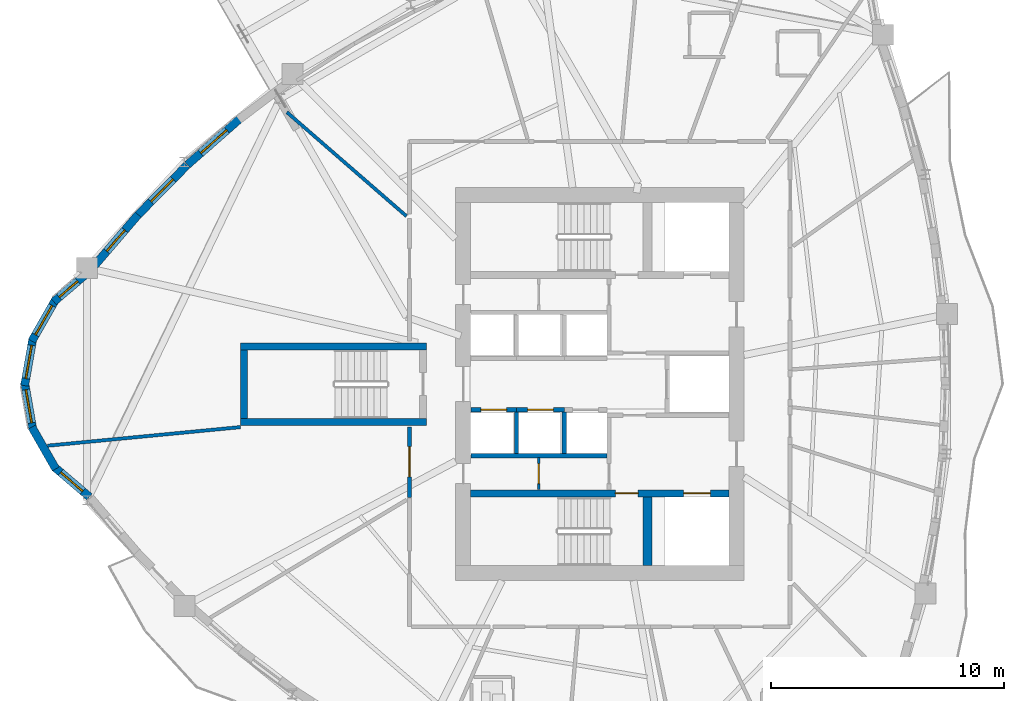
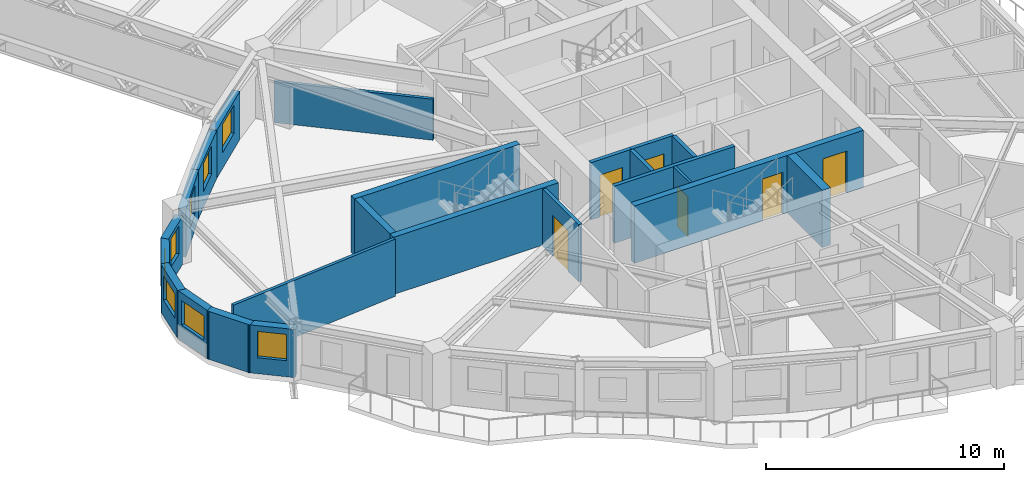
# One storey, part 7 of 16: 23 walls, 8 windows, 6 doors, 14 openings.
"""IFC4 building model written with IfcOpenShell, lengths in metres."""

import ifcopenshell
import ifcopenshell.guid

model = None  # the IFC model being written
_history = None  # IfcOwnerHistory: only IFC2X3 demands one
_inside = {}  # id of a spatial element -> (the spatial element, [elements in it])
_under = {}  # id of a project, library or spatial element -> (it, [spatial elements below it])
_declared = {}  # id of a project -> (the project, [libraries it declares])
_typed = {}  # id of a type object -> (the type object, [elements of that type])
_made_of = {}  # id of a material, layer set ... -> (it, [elements and type objects made of it])


def new_model(schema):
    """Start an empty IFC model of exactly this schema.

    Asked for "IFC4X3", IfcOpenShell would pick the latest addendum, in which some entities
    have other attributes; the version numbers below select the first issue.
    IFC2X3 requires an IfcOwnerHistory on every rooted entity: one is made here for all.
    """
    global model, _history
    if schema == "IFC4X3":
        model = ifcopenshell.file(schema_version=(4, 3, 0, 0))
    else:
        model = ifcopenshell.file(schema=schema)
    _inside.clear()
    _under.clear()
    _declared.clear()
    _typed.clear()
    _made_of.clear()
    _history = None
    if model.schema == "IFC2X3":
        org = make("IfcOrganization", Name="unknown")
        user = make(
            "IfcPersonAndOrganization",
            ThePerson=make("IfcPerson", FamilyName="unknown"),
            TheOrganization=org,
        )
        app = make(
            "IfcApplication",
            ApplicationDeveloper=org,
            Version="unknown",
            ApplicationFullName="unknown",
            ApplicationIdentifier="unknown",
        )
        _history = make(
            "IfcOwnerHistory",
            OwningUser=user,
            OwningApplication=app,
            ChangeAction="ADDED",
            CreationDate=0,
        )
    return model


def make(cls, **values):
    """One entity of the class cls with the attributes given. An attribute that is None is left unset."""
    return model.create_entity(
        cls, **{name: value for name, value in values.items() if value is not None}
    )


def rooted(cls, **values):
    """An entity with a GlobalId (a new one), such as an element, a storey or a relation."""
    return make(cls, GlobalId=ifcopenshell.guid.new(), OwnerHistory=_history, **values)


def si_unit(unit_type, name, prefix=None):
    """IfcSIUnit, for example si_unit("LENGTHUNIT", "METRE", prefix="MILLI")."""
    return make("IfcSIUnit", UnitType=unit_type, Prefix=prefix, Name=name)


def assignment(units):
    """IfcUnitAssignment: the units of a project."""
    return None if units is None else make("IfcUnitAssignment", Units=units)


def point(xyz):
    """IfcCartesianPoint."""
    return None if xyz is None else make("IfcCartesianPoint", Coordinates=xyz)


def direction(xyz):
    """IfcDirection."""
    return None if xyz is None else make("IfcDirection", DirectionRatios=xyz)


def frame(location, z_axis=None, x_axis=None):
    """IfcAxis2Placement3D, a coordinate frame: its origin and axes. An axis left out is left unset."""
    return make(
        "IfcAxis2Placement3D",
        Location=point(location),
        Axis=direction(z_axis),
        RefDirection=direction(x_axis),
    )


def frame_2d(location, x_axis=None):
    """IfcAxis2Placement2D, a coordinate frame in the plane: its origin and x axis."""
    return make(
        "IfcAxis2Placement2D", Location=point(location), RefDirection=direction(x_axis)
    )


def origin():
    """The frame at (0, 0, 0) with its axes left unset."""
    return frame((0.0, 0.0, 0.0))


def place(relative_to, where):
    """IfcLocalPlacement: puts the frame where relative to a parent placement (None: the world)."""
    return make(
        "IfcLocalPlacement", PlacementRelTo=relative_to, RelativePlacement=where
    )


def context(
    kind, dimensions, precision=None, world=None, true_north=None, identifier=None
):
    """IfcGeometricRepresentationContext, for example the 3D "Model" context."""
    return make(
        "IfcGeometricRepresentationContext",
        ContextIdentifier=identifier,
        ContextType=kind,
        CoordinateSpaceDimension=dimensions,
        Precision=precision,
        WorldCoordinateSystem=world,
        TrueNorth=true_north,
    )


def subcontext(parent, identifier, kind, view, scale=None):
    """IfcGeometricRepresentationSubContext, for example "Body" below "Model"."""
    return make(
        "IfcGeometricRepresentationSubContext",
        ContextIdentifier=identifier,
        ContextType=kind,
        ParentContext=parent,
        TargetScale=scale,
        TargetView=view,
    )


def project(units=None, contexts=None):
    """IfcProject with its units and contexts."""
    return rooted(
        "IfcProject",
        Name="project",
        RepresentationContexts=contexts,
        UnitsInContext=assignment(units),
    )


def spatial(cls, under=None, at=None, **own):
    """A site, building, storey or space (cls), placed at a placement, below another one or the project."""
    s = rooted(cls, ObjectPlacement=at, **own)
    if under is not None:
        _under.setdefault(under.id(), (under, []))[1].append(s)
    return s


def profile(cls, at=None, kind="AREA", **sizes):
    """A parametric profile (cls). Its sizes go by their IFC names, for example OverallWidth=200.0."""
    return make(cls, ProfileType=kind, Position=at, **sizes)


def rectangle(**sizes):
    """IfcRectangleProfileDef."""
    return profile("IfcRectangleProfileDef", **sizes)


def extrude(swept, where, along, depth):
    """IfcExtrudedAreaSolid: the profile swept, set in the frame where, extruded along a direction by depth."""
    return make(
        "IfcExtrudedAreaSolid",
        SweptArea=swept,
        Position=where,
        ExtrudedDirection=direction(along),
        Depth=depth,
    )


def shape(context_of_items, identifier, shape_type, items):
    """IfcShapeRepresentation: the items that make up one representation, for example the "Body"."""
    return make(
        "IfcShapeRepresentation",
        ContextOfItems=context_of_items,
        RepresentationIdentifier=identifier,
        RepresentationType=shape_type,
        Items=items,
    )


def source(mapping_origin, context_of_items, identifier, shape_type, items):
    """IfcRepresentationMap: a shape defined once, which mapped items show again and again."""
    return make(
        "IfcRepresentationMap",
        MappingOrigin=mapping_origin,
        MappedRepresentation=shape(context_of_items, identifier, shape_type, items),
    )


def transform(
    local_origin,
    x_axis=None,
    y_axis=None,
    z_axis=None,
    scale=None,
    scale2=None,
    scale3=None,
    uniform=True,
):
    """IfcCartesianTransformationOperator3D, or its non-uniform kind. x_axis, y_axis, z_axis: its Axis1, 2, 3."""
    if uniform:
        return make(
            "IfcCartesianTransformationOperator3D",
            Axis1=direction(x_axis),
            Axis2=direction(y_axis),
            LocalOrigin=point(local_origin),
            Scale=scale,
            Axis3=direction(z_axis),
        )
    return make(
        "IfcCartesianTransformationOperator3DnonUniform",
        Axis1=direction(x_axis),
        Axis2=direction(y_axis),
        LocalOrigin=point(local_origin),
        Scale=scale,
        Axis3=direction(z_axis),
        Scale2=scale2,
        Scale3=scale3,
    )


def mapped(mapping_source, mapping_target):
    """IfcMappedItem: shows the shape of a source again, moved by a transform."""
    return make(
        "IfcMappedItem", MappingSource=mapping_source, MappingTarget=mapping_target
    )


def material(Name=None, Category=None):
    """IfcMaterial."""
    return make("IfcMaterial", Name=Name, Category=Category)


def layer(
    of_material, thickness, ventilated=None, Name=None, Category=None, Priority=None
):
    """IfcMaterialLayer: one layer of a wall or slab, of a material (None: an air gap)."""
    return make(
        "IfcMaterialLayer",
        Material=of_material,
        LayerThickness=thickness,
        IsVentilated=ventilated,
        Name=Name,
        Category=Category,
        Priority=Priority,
    )


def layer_set(layers, Name=None):
    """IfcMaterialLayerSet."""
    return make("IfcMaterialLayerSet", MaterialLayers=layers, LayerSetName=Name)


def made_of(thing, what):
    """Note that an element or type object is made of a material, layer set ...; save() writes the relation."""
    if what is not None:
        _made_of.setdefault(what.id(), (what, []))[1].append(thing)
    return thing


def type_object(cls, material=None, **own):
    """A type object (cls), such as IfcWallType, which elements share."""
    return made_of(rooted(cls, **own), material)


def element(
    cls,
    number,
    at=None,
    inside=None,
    cuts=None,
    type_object=None,
    material=None,
    context=None,
    identifier="Body",
    shape_type=None,
    held_by="IfcProductDefinitionShape",
    body=None,
    shapes=None,
    **own,
):
    """One element of the class cls, such as IfcWall. Its Tag is "e" and its number.

    at: its placement. inside: the storey or other place that contains it. cuts: it is an
    opening in that element (IfcRelVoidsElement). A single representation is given by context,
    identifier, shape_type and body (its items); several are given by shapes. held_by: the class
    of the entity that holds the representations. save() writes the other relations.
    """
    e = rooted(cls, Tag="e%d" % number, ObjectPlacement=at, **own)
    if body is not None:
        shapes = [shape(context, identifier, shape_type, body)]
    if shapes is not None:
        e.Representation = make(held_by, Representations=shapes)
    if inside is not None:
        _inside.setdefault(inside.id(), (inside, []))[1].append(e)
    if cuts is not None:
        rooted(
            "IfcRelVoidsElement", RelatingBuildingElement=cuts, RelatedOpeningElement=e
        )
    if type_object is not None:
        _typed.setdefault(type_object.id(), (type_object, []))[1].append(e)
    return made_of(e, material)


def fill(opening, filler):
    """IfcRelFillsElement: the door or window that sits in an opening."""
    return rooted(
        "IfcRelFillsElement",
        RelatingOpeningElement=opening,
        RelatedBuildingElement=filler,
    )


def aggregate(whole, parts):
    """IfcRelAggregates: a whole, such as a stair, and the parts it consists of."""
    return rooted("IfcRelAggregates", RelatingObject=whole, RelatedObjects=parts)


def save(model, path):
    """Write the relations noted so far, then the file.

    IfcRelAggregates (storeys below a building ...), IfcRelContainedInSpatialStructure (elements
    in a storey), IfcRelDefinesByType, IfcRelAssociatesMaterial and IfcRelDeclares: one each for
    every whole, place, type object, material and project.
    """
    for whole, parts in _under.values():
        aggregate(whole, parts)
    for where, things in _inside.values():
        rooted(
            "IfcRelContainedInSpatialStructure",
            RelatedElements=things,
            RelatingStructure=where,
        )
    for kind, things in _typed.values():
        rooted("IfcRelDefinesByType", RelatedObjects=things, RelatingType=kind)
    for what, things in _made_of.values():
        rooted("IfcRelAssociatesMaterial", RelatedObjects=things, RelatingMaterial=what)
    for by, libraries in _declared.values():
        rooted("IfcRelDeclares", RelatingContext=by, RelatedDefinitions=libraries)
    model.write(path)


model = new_model("IFC4")

# Units and contexts
model_context = context("Model", 3, precision=1e-05, world=origin(), true_north=direction((0.0, 1.0)))
body_context = subcontext(model_context, "Body", "Model", "MODEL_VIEW")
ifc_project = project(units=[si_unit("LENGTHUNIT", "METRE"), si_unit("AREAUNIT", "SQUARE_METRE"), si_unit("VOLUMEUNIT", "CUBIC_METRE"), si_unit("PLANEANGLEUNIT", "RADIAN"), si_unit("MASSUNIT", "GRAM", prefix="KILO")], contexts=[model_context])

# Site, building, storey
site_placement = place(None, origin())
site = spatial("IfcSite", under=ifc_project, at=site_placement, CompositionType="ELEMENT")
building_placement = place(site_placement, origin())
building = spatial("IfcBuilding", under=site, at=building_placement, Name="Qafzar Sky-Pleat Residences", CompositionType="ELEMENT")
storey_placement = place(building_placement, frame((0.0, 0.0, 80.0)))
storey = spatial("IfcBuildingStorey", under=building, at=storey_placement, Name="L23", CompositionType="ELEMENT", Elevation=80.0)

# Wall, opening, door
ifc_material_1 = material(Name="Acoustic gypsum plasterboard partition", Category="gypsum")
ifc_layer_1 = layer(ifc_material_1, 0.159912109375)
ifc_layer_set_1 = layer_set([ifc_layer_1], Name="Acoustic gypsum plasterboard partition")
wall_type_1 = type_object("IfcWallType", Name="PART-COR-160", PredefinedType="PARTITIONING", material=ifc_layer_set_1)
wall_1_placement = place(storey_placement, frame((22.169921875, 21.1279296875, 0.0), z_axis=(0.0, 0.0, 1.0), x_axis=(0.0, 1.0, 0.0)))
wall_1 = element("IfcWall", 1, at=wall_1_placement, inside=storey, type_object=wall_type_1, Name="L23 Partition Wall PART-L23-PW-012", PredefinedType="PARTITIONING", context=body_context, shape_type="SweptSolid", body=[
    extrude(rectangle(XDim=3.02197265625, YDim=0.159912109375, at=frame_2d((1.510986328125, 0.0))), origin(), (0.0, 0.0, 1.0), 2.93505859375),
])
opening_1_placement = place(wall_1_placement, frame((0.882568359375, 0.0, 0.0)))
opening_1 = element("IfcOpeningElement", 2, at=opening_1_placement, cuts=wall_1, Name="Opening ID-05", PredefinedType="OPENING", context=body_context, shape_type="SweptSolid", body=[
    extrude(rectangle(XDim=1.300048828125, YDim=2.10009765625, at=frame_2d((0.64990234375, 1.050048828125))), frame((0.0, 0.08984375, 0.0), z_axis=(0.0, -1.0, 0.0), x_axis=(1.0, 0.0, 0.0)), (0.0, 0.0, 1.0), 0.179931640625),
])
ifc_material_2 = material(Name="Timber-faced fire door", Category="wood")
door_type_1 = type_object("IfcDoorType", Name="DR-LNG-1300", OperationType="DOUBLE_DOOR_SINGLE_SWING", PredefinedType="DOOR", material=ifc_material_2)
shared_shape_1 = source(origin(), body_context, "Body", "SweptSolid", [
    extrude(rectangle(XDim=1.300048828125, YDim=2.10009765625, at=frame_2d((0.64990234375, 1.050048828125))), frame((0.0, 0.02490234375, 0.0), z_axis=(0.0, -1.0, 0.0), x_axis=(1.0, 0.0, 0.0)), (0.0, 0.0, 1.0), 0.050048828125),
])
door_1_placement = place(opening_1_placement, origin())
door_1 = element("IfcDoor", 3, at=door_1_placement, inside=storey, type_object=door_type_1, Name="L23 Tutorial Huddle Room Door", OperationType="DOUBLE_DOOR_SINGLE_SWING", OverallHeight=2.10009765625, OverallWidth=1.300048828125, PredefinedType="DOOR", context=body_context, shape_type="MappedRepresentation", body=[
    mapped(shared_shape_1, transform((0.0, 0.0, 0.0), x_axis=(1.0, 0.0, 0.0), y_axis=(0.0, 1.0, 0.0), z_axis=(0.0, 0.0, 1.0), scale=1.0)),
])
fill(opening_1, door_1)

# Wall
ifc_material_3 = material(Name="Concrete blockwork partition", Category="masonry")
ifc_layer_2 = layer(ifc_material_3, 0.179931640625)
ifc_layer_set_2 = layer_set([ifc_layer_2], Name="Concrete blockwork partition")
wall_type_2 = type_object("IfcWallType", Name="PART-SHAFT-180", PredefinedType="PARTITIONING", material=ifc_layer_set_2)
wall_2_placement = place(storey_placement, frame((24.81005859375, 22.919921875, 0.0), z_axis=(0.0, 0.0, 1.0), x_axis=(1.0, 0.0, 0.0)))
element("IfcWall", 4, at=wall_2_placement, inside=storey, type_object=wall_type_2, Name="L23 Partition Wall PART-L23-P13-S", PredefinedType="PARTITIONING", context=body_context, shape_type="SweptSolid", body=[
    extrude(rectangle(XDim=5.83984375, YDim=0.179931640625, at=frame_2d((2.919921875, 0.0))), origin(), (0.0, 0.0, 1.0), 2.93505859375),
])

# Wall, opening, door
wall_3_placement = place(storey_placement, frame((24.81005859375, 24.89990234375, 0.0), z_axis=(0.0, 0.0, 1.0), x_axis=(1.0, 0.0, 0.0)))
wall_3 = element("IfcWall", 5, at=wall_3_placement, inside=storey, type_object=wall_type_2, Name="L23 Partition Wall PART-L23-P1-N", PredefinedType="PARTITIONING", context=body_context, shape_type="SweptSolid", body=[
    extrude(rectangle(XDim=1.96484375, YDim=0.179931640625, at=frame_2d((0.982421875, 0.0))), origin(), (0.0, 0.0, 1.0), 2.93505859375),
])
opening_2_placement = place(wall_3_placement, frame((0.4326171875, 0.0, 0.0)))
opening_2 = element("IfcOpeningElement", 6, at=opening_2_placement, cuts=wall_3, Name="Opening LD-01", PredefinedType="OPENING", context=body_context, shape_type="SweptSolid", body=[
    extrude(rectangle(XDim=1.10009765625, YDim=2.14990234375, at=frame_2d((0.550048828125, 1.074951171875))), frame((0.0, 0.10009765625, 0.0), z_axis=(0.0, -1.0, 0.0), x_axis=(1.0, 0.0, 0.0)), (0.0, 0.0, 1.0), 0.199951171875),
])
ifc_material_4 = material(Name="Stainless steel sliding landing door", Category="steel")
door_type_2 = type_object("IfcDoorType", Name="DR-LIFT-P", OperationType="DOUBLE_DOOR_SLIDING", PredefinedType="DOOR", material=ifc_material_4)
shared_shape_2 = source(origin(), body_context, "Body", "SweptSolid", [
    extrude(rectangle(XDim=1.10009765625, YDim=2.14990234375, at=frame_2d((0.550048828125, 1.074951171875))), frame((0.0, 0.02490234375, 0.0), z_axis=(0.0, -1.0, 0.0), x_axis=(1.0, 0.0, 0.0)), (0.0, 0.0, 1.0), 0.050048828125),
])
door_2_placement = place(opening_2_placement, origin())
door_2 = element("IfcDoor", 7, at=door_2_placement, inside=storey, type_object=door_type_2, Name="L23 Passenger Lift P1 Landing Door", OperationType="DOUBLE_DOOR_SLIDING", OverallHeight=2.14990234375, OverallWidth=1.10009765625, PredefinedType="DOOR", context=body_context, shape_type="MappedRepresentation", body=[
    mapped(shared_shape_2, transform((0.0, 0.0, 0.0), x_axis=(1.0, 0.0, 0.0), y_axis=(0.0, 1.0, 0.0), z_axis=(0.0, 0.0, 1.0), scale=1.0)),
])
fill(opening_2, door_2)

wall_4_placement = place(storey_placement, frame((26.77490234375, 24.89990234375, 0.0), z_axis=(0.0, 0.0, 1.0), x_axis=(1.0, 0.0, 0.0)))
wall_4 = element("IfcWall", 8, at=wall_4_placement, inside=storey, type_object=wall_type_2, Name="L23 Partition Wall PART-L23-P2-N", PredefinedType="PARTITIONING", context=body_context, shape_type="SweptSolid", body=[
    extrude(rectangle(XDim=2.050048828125, YDim=0.179931640625, at=frame_2d((1.02490234375, 0.0))), origin(), (0.0, 0.0, 1.0), 2.93505859375),
])
opening_3_placement = place(wall_4_placement, frame((0.47509765625, 0.0, 0.0)))
opening_3 = element("IfcOpeningElement", 9, at=opening_3_placement, cuts=wall_4, Name="Opening LD-01", PredefinedType="OPENING", context=body_context, shape_type="SweptSolid", body=[
    extrude(rectangle(XDim=1.10009765625, YDim=2.14990234375, at=frame_2d((0.550048828125, 1.074951171875))), frame((0.0, 0.10009765625, 0.0), z_axis=(0.0, -1.0, 0.0), x_axis=(1.0, 0.0, 0.0)), (0.0, 0.0, 1.0), 0.199951171875),
])
door_3_placement = place(opening_3_placement, origin())
door_3 = element("IfcDoor", 10, at=door_3_placement, inside=storey, type_object=door_type_2, Name="L23 Passenger Lift P2 Landing Door", OperationType="DOUBLE_DOOR_SLIDING", OverallHeight=2.14990234375, OverallWidth=1.10009765625, PredefinedType="DOOR", context=body_context, shape_type="MappedRepresentation", body=[
    mapped(shared_shape_2, transform((0.0, 0.0, 0.0), x_axis=(1.0, 0.0, 0.0), y_axis=(0.0, 1.0, 0.0), z_axis=(0.0, 0.0, 1.0), scale=1.0)),
])
fill(opening_3, door_3)

# Walls
for number, where, z_axis, x_axis, name in (
    (11, (26.77490234375, 23.02001953125, 0.0), (0.0, 0.0, 1.0), (0.0, 1.0, 0.0), "L23 Partition Wall PART-L23-P13-DIV-1"),
    (12, (28.824951171875, 23.02001953125, 0.0), (0.0, 0.0, 1.0), (0.0, 1.0, 0.0), "L23 Partition Wall PART-L23-P13-DIV-2"),
):
    element("IfcWall", number, at=place(storey_placement, frame(where, z_axis=z_axis, x_axis=x_axis)), inside=storey, type_object=wall_type_2, Name=name, PredefinedType="PARTITIONING", context=body_context, shape_type="SweptSolid", body=[
        extrude(rectangle(XDim=1.780029296875, YDim=0.179931640625, at=frame_2d((0.89013671875, 0.0))), origin(), (0.0, 0.0, 1.0), 2.93505859375),
    ])

# Wall, opening, door
ifc_material_5 = material(Name="Gypsum plasterboard partition", Category="gypsum")
ifc_layer_3 = layer(ifc_material_5, 0.114990234375)
ifc_layer_set_3 = layer_set([ifc_layer_3], Name="Gypsum plasterboard partition")
wall_type_3 = type_object("IfcWallType", Name="PART-SVC-115", PredefinedType="PARTITIONING", material=ifc_layer_set_3)
wall_5_placement = place(storey_placement, frame((27.72509765625, 21.4599609375, 0.0), z_axis=(0.0, 0.0, 1.0), x_axis=(0.0, 1.0, 0.0)))
wall_5 = element("IfcWall", 13, at=wall_5_placement, inside=storey, type_object=wall_type_3, Name="L23 Partition Wall PART-L23-KB-SW", PredefinedType="PARTITIONING", context=body_context, shape_type="SweptSolid", body=[
    extrude(rectangle(XDim=1.380126953125, YDim=0.114990234375, at=frame_2d((0.68994140625, 0.0))), origin(), (0.0, 0.0, 1.0), 2.93505859375),
])
opening_4_placement = place(wall_5_placement, frame((0.260009765625, 0.0, 0.0)))
opening_4 = element("IfcOpeningElement", 14, at=opening_4_placement, cuts=wall_5, Name="Opening ID-09", PredefinedType="OPENING", context=body_context, shape_type="SweptSolid", body=[
    extrude(rectangle(XDim=0.860107421875, YDim=2.050048828125, at=frame_2d((0.43017578125, 1.02490234375))), frame((0.0, 0.0673828125, 0.0), z_axis=(0.0, -1.0, 0.0), x_axis=(1.0, 0.0, 0.0)), (0.0, 0.0, 1.0), 0.135009765625),
])
door_type_3 = type_object("IfcDoorType", Name="DR-SVC-860", OperationType="NOTDEFINED", PredefinedType="DOOR", material=ifc_material_2)
shared_shape_3 = source(origin(), body_context, "Body", "SweptSolid", [
    extrude(rectangle(XDim=0.860107421875, YDim=2.050048828125, at=frame_2d((0.43017578125, 1.02490234375))), frame((0.0, 0.02490234375, 0.0), z_axis=(0.0, -1.0, 0.0), x_axis=(1.0, 0.0, 0.0)), (0.0, 0.0, 1.0), 0.050048828125),
])
door_4_placement = place(opening_4_placement, origin())
door_4 = element("IfcDoor", 15, at=door_4_placement, inside=storey, type_object=door_type_3, Name="L23 BMS Metering Cupboard Door", OperationType="SINGLE_SWING_RIGHT", OverallHeight=2.050048828125, OverallWidth=0.860107421875, PredefinedType="DOOR", context=body_context, shape_type="MappedRepresentation", body=[
    mapped(shared_shape_3, transform((0.0, 0.0, 0.0), x_axis=(1.0, 0.0, 0.0), y_axis=(0.0, 1.0, 0.0), z_axis=(0.0, 0.0, 1.0), scale=1.0)),
])
fill(opening_4, door_4)

# Walls
ifc_layer_4 = layer(ifc_material_1, 0.14501953125)
ifc_layer_set_4 = layer_set([ifc_layer_4], Name="Acoustic gypsum plasterboard partition")
wall_type_4 = type_object("IfcWallType", Name="PART-UNIT-145", PredefinedType="PARTITIONING", material=ifc_layer_set_4)
wall_6_placement = place(storey_placement, frame((6.605224609375, 23.3505859375, 0.0), z_axis=(0.0, 0.0, 1.0), x_axis=(0.995388985265, 0.09592063393, 0.0)))
element("IfcWall", 16, at=wall_6_placement, inside=storey, type_object=wall_type_4, Name="L23 Partition Wall PART-L23-PW-027", PredefinedType="PARTITIONING", context=body_context, shape_type="SweptSolid", body=[
    extrude(rectangle(XDim=8.3330078125, YDim=0.14501953125, at=frame_2d((4.16650390625, 0.0))), origin(), (0.0, 0.0, 1.0), 2.93505859375),
])
wall_7_placement = place(storey_placement, frame((16.894775390625, 37.689697265625, 0.0), z_axis=(0.0, 0.0, 1.0), x_axis=(0.754854710059, -0.655892038907, 0.0)))
element("IfcWall", 17, at=wall_7_placement, inside=storey, type_object=wall_type_4, Name="L23 Partition Wall PART-L23-PW-029", PredefinedType="PARTITIONING", context=body_context, shape_type="SweptSolid", body=[
    extrude(rectangle(XDim=6.811279296875, YDim=0.14501953125, at=frame_2d((3.40576171875, 0.0))), origin(), (0.0, 0.0, 1.0), 2.10302734375),
])

# Wall, opening, window
ifc_material_6 = material(Name="Precast concrete C40/50 with honed Riyadh limestone", Category="concrete")
ifc_layer_5 = layer(ifc_material_6, 0.35009765625)
ifc_layer_set_5 = layer_set([ifc_layer_5], Name="Precast concrete C40/50 with honed Riyadh limestone")
wall_type_5 = type_object("IfcWallType", Name="WALL-EXT-350", PredefinedType="SOLIDWALL", material=ifc_layer_set_5)
wall_8_placement = place(storey_placement, frame((8.252685546875, 30.71728515625, 0.0), z_axis=(0.0, 0.0, 1.0), x_axis=(-0.761176639947, -0.648544618973, 0.0)))
wall_8 = element("IfcWall", 18, at=wall_8_placement, inside=storey, type_object=wall_type_5, Name="L23 Limestone Facade Wall 1", PredefinedType="SOLIDWALL", context=body_context, shape_type="SweptSolid", body=[
    extrude(rectangle(XDim=1.81005859375, YDim=0.35009765625, at=frame_2d((0.905029296875, 0.0))), origin(), (0.0, 0.0, 1.0), 2.465087890625),
])
opening_5_placement = place(wall_8_placement, frame((0.455078125, 0.0, 0.820068359375)))
opening_5 = element("IfcOpeningElement", 19, at=opening_5_placement, cuts=wall_8, Name="Opening WN-06", PredefinedType="OPENING", context=body_context, shape_type="SweptSolid", body=[
    extrude(rectangle(XDim=1.050048828125, YDim=1.449951171875, at=frame_2d((0.52490234375, 0.72509765625))), frame((0.0, 0.18505859375, 0.0), z_axis=(0.0, -1.0, 0.0), x_axis=(1.0, 0.0, 0.0)), (0.0, 0.0, 1.0), 0.3701171875),
])
ifc_material_7 = material(Name="Solar-control low-E glass in bronze aluminium frame", Category="glass")
window_type_1 = type_object("IfcWindowType", Name="WIN-06", PartitioningType="SINGLE_PANEL", PredefinedType="WINDOW", material=ifc_material_7)
shared_shape_4 = source(origin(), body_context, "Body", "SweptSolid", [
    extrude(rectangle(XDim=1.050048828125, YDim=1.449951171875, at=frame_2d((0.52490234375, 0.72509765625))), frame((0.0, 0.030029296875, 0.0), z_axis=(0.0, -1.0, 0.0), x_axis=(1.0, 0.0, 0.0)), (0.0, 0.0, 1.0), 0.06005859375),
])
window_1_placement = place(opening_5_placement, origin())
window_1 = element("IfcWindow", 20, at=window_1_placement, inside=storey, type_object=window_type_1, Name="L23 Punched Facade Window 01", OverallHeight=1.449951171875, OverallWidth=1.050048828125, PartitioningType="SINGLE_PANEL", PredefinedType="WINDOW", context=body_context, shape_type="MappedRepresentation", body=[
    mapped(shared_shape_4, transform((0.0, 0.0, 0.0), x_axis=(1.0, 0.0, 0.0), y_axis=(0.0, 1.0, 0.0), z_axis=(0.0, 0.0, 1.0), scale=1.0)),
])
fill(opening_5, window_1)

wall_9_placement = place(storey_placement, frame((6.961181640625, 29.6474609375, 0.0), z_axis=(0.0, 0.0, 1.0), x_axis=(-0.496037473582, -0.868301114132, 0.0)))
wall_9 = element("IfcWall", 21, at=wall_9_placement, inside=storey, type_object=wall_type_5, Name="L23 Limestone Facade Wall 2", PredefinedType="SOLIDWALL", context=body_context, shape_type="SweptSolid", body=[
    extrude(rectangle(XDim=2.072998046875, YDim=0.35009765625, at=frame_2d((1.03662109375, 0.0))), origin(), (0.0, 0.0, 1.0), 2.465087890625),
])
opening_6_placement = place(wall_9_placement, frame((0.3115234375, 0.0, 0.820068359375)))
opening_6 = element("IfcOpeningElement", 22, at=opening_6_placement, cuts=wall_9, Name="Opening WN-15", PredefinedType="OPENING", context=body_context, shape_type="SweptSolid", body=[
    extrude(rectangle(XDim=1.449951171875, YDim=1.25, at=frame_2d((0.72509765625, 0.625))), frame((0.0, 0.18505859375, 0.0), z_axis=(0.0, -1.0, 0.0), x_axis=(1.0, 0.0, 0.0)), (0.0, 0.0, 1.0), 0.3701171875),
])
window_type_2 = type_object("IfcWindowType", Name="WIN-15", PartitioningType="SINGLE_PANEL", PredefinedType="WINDOW", material=ifc_material_7)
shared_shape_5 = source(origin(), body_context, "Body", "SweptSolid", [
    extrude(rectangle(XDim=1.449951171875, YDim=1.25, at=frame_2d((0.72509765625, 0.625))), frame((0.0, 0.030029296875, 0.0), z_axis=(0.0, -1.0, 0.0), x_axis=(1.0, 0.0, 0.0)), (0.0, 0.0, 1.0), 0.06005859375),
])
window_2_placement = place(opening_6_placement, origin())
window_2 = element("IfcWindow", 23, at=window_2_placement, inside=storey, type_object=window_type_2, Name="L23 Punched Facade Window 02", OverallHeight=1.25, OverallWidth=1.449951171875, PartitioningType="SINGLE_PANEL", PredefinedType="WINDOW", context=body_context, shape_type="MappedRepresentation", body=[
    mapped(shared_shape_5, transform((0.0, 0.0, 0.0), x_axis=(1.0, 0.0, 0.0), y_axis=(0.0, 1.0, 0.0), z_axis=(0.0, 0.0, 1.0), scale=1.0)),
])
fill(opening_6, window_2)

wall_10_placement = place(storey_placement, frame((5.978515625, 27.974609375, 0.0), z_axis=(0.0, 0.0, 1.0), x_axis=(-0.172166087538, -0.985067935881, 0.0)))
wall_10 = element("IfcWall", 24, at=wall_10_placement, inside=storey, type_object=wall_type_5, Name="L23 Limestone Facade Wall 3", PredefinedType="SOLIDWALL", context=body_context, shape_type="SweptSolid", body=[
    extrude(rectangle(XDim=2.0732421875, YDim=0.35009765625, at=frame_2d((1.03662109375, 0.0))), origin(), (0.0, 0.0, 1.0), 2.465087890625),
])
opening_7_placement = place(wall_10_placement, frame((0.3115234375, 0.0, 0.820068359375)))
opening_7 = element("IfcOpeningElement", 25, at=opening_7_placement, cuts=wall_10, Name="Opening WN-15", PredefinedType="OPENING", context=body_context, shape_type="SweptSolid", body=[
    extrude(rectangle(XDim=1.449951171875, YDim=1.25, at=frame_2d((0.72509765625, 0.625))), frame((0.0, 0.18505859375, 0.0), z_axis=(0.0, -1.0, 0.0), x_axis=(1.0, 0.0, 0.0)), (0.0, 0.0, 1.0), 0.3701171875),
])
window_3_placement = place(opening_7_placement, origin())
window_3 = element("IfcWindow", 26, at=window_3_placement, inside=storey, type_object=window_type_2, Name="L23 Punched Facade Window 03", OverallHeight=1.25, OverallWidth=1.449951171875, PartitioningType="SINGLE_PANEL", PredefinedType="WINDOW", context=body_context, shape_type="MappedRepresentation", body=[
    mapped(shared_shape_5, transform((0.0, 0.0, 0.0), x_axis=(1.0, 0.0, 0.0), y_axis=(0.0, 1.0, 0.0), z_axis=(0.0, 0.0, 1.0), scale=1.0)),
])
fill(opening_7, window_3)

wall_11_placement = place(storey_placement, frame((5.62158203125, 26.067626953125, 0.0), z_axis=(0.0, 0.0, 1.0), x_axis=(0.172166087538, -0.985067935881, 0.0)))
wall_11 = element("IfcWall", 27, at=wall_11_placement, inside=storey, type_object=wall_type_5, Name="L23 Limestone Facade Wall 4", PredefinedType="SOLIDWALL", context=body_context, shape_type="SweptSolid", body=[
    extrude(rectangle(XDim=2.0732421875, YDim=0.35009765625, at=frame_2d((1.03662109375, 0.0))), origin(), (0.0, 0.0, 1.0), 2.465087890625),
])
opening_8_placement = place(wall_11_placement, frame((0.3115234375, 0.0, 0.820068359375)))
opening_8 = element("IfcOpeningElement", 28, at=opening_8_placement, cuts=wall_11, Name="Opening WN-15", PredefinedType="OPENING", context=body_context, shape_type="SweptSolid", body=[
    extrude(rectangle(XDim=1.449951171875, YDim=1.25, at=frame_2d((0.72509765625, 0.625))), frame((0.0, 0.18505859375, 0.0), z_axis=(0.0, -1.0, 0.0), x_axis=(1.0, 0.0, 0.0)), (0.0, 0.0, 1.0), 0.3701171875),
])
window_4_placement = place(opening_8_placement, origin())
window_4 = element("IfcWindow", 29, at=window_4_placement, inside=storey, type_object=window_type_2, Name="L23 Punched Facade Window 04", OverallHeight=1.25, OverallWidth=1.449951171875, PartitioningType="SINGLE_PANEL", PredefinedType="WINDOW", context=body_context, shape_type="MappedRepresentation", body=[
    mapped(shared_shape_5, transform((0.0, 0.0, 0.0), x_axis=(1.0, 0.0, 0.0), y_axis=(0.0, 1.0, 0.0), z_axis=(0.0, 0.0, 1.0), scale=1.0)),
])
fill(opening_8, window_4)

# Wall
wall_12_placement = place(storey_placement, frame((5.932861328125, 24.152587890625, 0.0), z_axis=(0.0, 0.0, 1.0), x_axis=(0.496037473582, -0.868301114132, 0.0)))
element("IfcWall", 30, at=wall_12_placement, inside=storey, type_object=wall_type_5, Name="L23 Limestone Facade Wall 5", PredefinedType="SOLIDWALL", context=body_context, shape_type="SweptSolid", body=[
    extrude(rectangle(XDim=2.072998046875, YDim=0.35009765625, at=frame_2d((1.03662109375, 0.0))), origin(), (0.0, 0.0, 1.0), 2.465087890625),
])

# Wall, opening, window
wall_13_placement = place(storey_placement, frame((6.875, 22.45654296875, 0.0), z_axis=(0.0, 0.0, 1.0), x_axis=(0.761203352049, -0.648513266502, 0.0)))
wall_13 = element("IfcWall", 31, at=wall_13_placement, inside=storey, type_object=wall_type_5, Name="L23 Limestone Facade Wall 6", PredefinedType="SOLIDWALL", context=body_context, shape_type="SweptSolid", body=[
    extrude(rectangle(XDim=2.014892578125, YDim=0.35009765625, at=frame_2d((1.00732421875, 0.0))), origin(), (0.0, 0.0, 1.0), 2.465087890625),
])
opening_9_placement = place(wall_13_placement, frame((0.392578125, 0.0, 0.820068359375)))
opening_9 = element("IfcOpeningElement", 32, at=opening_9_placement, cuts=wall_13, Name="Opening WN-11", PredefinedType="OPENING", context=body_context, shape_type="SweptSolid", body=[
    extrude(rectangle(XDim=1.25, YDim=1.35009765625, at=frame_2d((0.625, 0.675048828125))), frame((0.0, 0.18505859375, 0.0), z_axis=(0.0, -1.0, 0.0), x_axis=(1.0, 0.0, 0.0)), (0.0, 0.0, 1.0), 0.3701171875),
])
window_type_3 = type_object("IfcWindowType", Name="WIN-11", PartitioningType="SINGLE_PANEL", PredefinedType="WINDOW", material=ifc_material_7)
shared_shape_6 = source(origin(), body_context, "Body", "SweptSolid", [
    extrude(rectangle(XDim=1.25, YDim=1.35009765625, at=frame_2d((0.625, 0.675048828125))), frame((0.0, 0.030029296875, 0.0), z_axis=(0.0, -1.0, 0.0), x_axis=(1.0, 0.0, 0.0)), (0.0, 0.0, 1.0), 0.06005859375),
])
window_5_placement = place(opening_9_placement, origin())
window_5 = element("IfcWindow", 33, at=window_5_placement, inside=storey, type_object=window_type_3, Name="L23 Punched Facade Window 06", OverallHeight=1.35009765625, OverallWidth=1.25, PartitioningType="SINGLE_PANEL", PredefinedType="WINDOW", context=body_context, shape_type="MappedRepresentation", body=[
    mapped(shared_shape_6, transform((0.0, 0.0, 0.0), x_axis=(1.0, 0.0, 0.0), y_axis=(0.0, 1.0, 0.0), z_axis=(0.0, 0.0, 1.0), scale=1.0)),
])
fill(opening_9, window_5)

wall_14_placement = place(storey_placement, frame((14.89892578125, 37.4287109375, 0.0), z_axis=(0.0, 0.0, 1.0), x_axis=(-0.751526984469, -0.659702350773, 0.0)))
wall_14 = element("IfcWall", 34, at=wall_14_placement, inside=storey, type_object=wall_type_5, Name="L23 Limestone Facade Wall 46", PredefinedType="SOLIDWALL", context=body_context, shape_type="SweptSolid", body=[
    extrude(rectangle(XDim=3.0283203125, YDim=0.35009765625, at=frame_2d((1.51416015625, 0.0))), origin(), (0.0, 0.0, 1.0), 2.465087890625),
])
opening_10_placement = place(wall_14_placement, frame((0.774169921875, 0.0, 0.820068359375)))
opening_10 = element("IfcOpeningElement", 35, at=opening_10_placement, cuts=wall_14, Name="Opening WN-03", PredefinedType="OPENING", context=body_context, shape_type="SweptSolid", body=[
    extrude(rectangle(XDim=1.5, YDim=1.449951171875, at=frame_2d((0.75, 0.72509765625))), frame((0.0, 0.18505859375, 0.0), z_axis=(0.0, -1.0, 0.0), x_axis=(1.0, 0.0, 0.0)), (0.0, 0.0, 1.0), 0.3701171875),
])
window_type_4 = type_object("IfcWindowType", Name="WIN-03", PartitioningType="DOUBLE_PANEL_VERTICAL", PredefinedType="WINDOW", material=ifc_material_7)
shared_shape_7 = source(origin(), body_context, "Body", "SweptSolid", [
    extrude(rectangle(XDim=1.5, YDim=1.449951171875, at=frame_2d((0.75, 0.72509765625))), frame((0.0, 0.030029296875, 0.0), z_axis=(0.0, -1.0, 0.0), x_axis=(1.0, 0.0, 0.0)), (0.0, 0.0, 1.0), 0.06005859375),
])
window_6_placement = place(opening_10_placement, origin())
window_6 = element("IfcWindow", 36, at=window_6_placement, inside=storey, type_object=window_type_4, Name="L23 Punched Facade Window 46", OverallHeight=1.449951171875, OverallWidth=1.5, PartitioningType="SINGLE_PANEL", PredefinedType="WINDOW", context=body_context, shape_type="MappedRepresentation", body=[
    mapped(shared_shape_7, transform((0.0, 0.0, 0.0), x_axis=(1.0, 0.0, 0.0), y_axis=(0.0, 1.0, 0.0), z_axis=(0.0, 0.0, 1.0), scale=1.0)),
])
fill(opening_10, window_6)

wall_15_placement = place(storey_placement, frame((12.603271484375, 35.412109375, 0.0), z_axis=(0.0, 0.0, 1.0), x_axis=(-0.701972782373, -0.71220377197, 0.0)))
wall_15 = element("IfcWall", 37, at=wall_15_placement, inside=storey, type_object=wall_type_5, Name="L23 Limestone Facade Wall 47", PredefinedType="SOLIDWALL", context=body_context, shape_type="SweptSolid", body=[
    extrude(rectangle(XDim=3.078369140625, YDim=0.35009765625, at=frame_2d((1.5390625, 0.0))), origin(), (0.0, 0.0, 1.0), 2.465087890625),
])
opening_11_placement = place(wall_15_placement, frame((0.85400390625, 0.0, 0.820068359375)))
opening_11 = element("IfcOpeningElement", 38, at=opening_11_placement, cuts=wall_15, Name="Opening WN-04", PredefinedType="OPENING", context=body_context, shape_type="SweptSolid", body=[
    extrude(rectangle(XDim=1.35009765625, YDim=1.449951171875, at=frame_2d((0.675048828125, 0.72509765625))), frame((0.0, 0.18505859375, 0.0), z_axis=(0.0, -1.0, 0.0), x_axis=(1.0, 0.0, 0.0)), (0.0, 0.0, 1.0), 0.3701171875),
])
window_type_5 = type_object("IfcWindowType", Name="WIN-04", PartitioningType="SINGLE_PANEL", PredefinedType="WINDOW", material=ifc_material_7)
shared_shape_8 = source(origin(), body_context, "Body", "SweptSolid", [
    extrude(rectangle(XDim=1.35009765625, YDim=1.449951171875, at=frame_2d((0.675048828125, 0.72509765625))), frame((0.0, 0.030029296875, 0.0), z_axis=(0.0, -1.0, 0.0), x_axis=(1.0, 0.0, 0.0)), (0.0, 0.0, 1.0), 0.06005859375),
])
window_7_placement = place(opening_11_placement, origin())
window_7 = element("IfcWindow", 39, at=window_7_placement, inside=storey, type_object=window_type_5, Name="L23 Punched Facade Window 47", OverallHeight=1.449951171875, OverallWidth=1.35009765625, PartitioningType="SINGLE_PANEL", PredefinedType="WINDOW", context=body_context, shape_type="MappedRepresentation", body=[
    mapped(shared_shape_8, transform((0.0, 0.0, 0.0), x_axis=(1.0, 0.0, 0.0), y_axis=(0.0, 1.0, 0.0), z_axis=(0.0, 0.0, 1.0), scale=1.0)),
])
fill(opening_11, window_7)

wall_16_placement = place(storey_placement, frame((10.501953125, 33.28466796875, 0.0), z_axis=(0.0, 0.0, 1.0), x_axis=(-0.650770847407, -0.75927419564, 0.0)))
wall_16 = element("IfcWall", 40, at=wall_16_placement, inside=storey, type_object=wall_type_5, Name="L23 Limestone Facade Wall 48", PredefinedType="SOLIDWALL", context=body_context, shape_type="SweptSolid", body=[
    extrude(rectangle(XDim=2.9384765625, YDim=0.35009765625, at=frame_2d((1.46923828125, 0.0))), origin(), (0.0, 0.0, 1.0), 2.465087890625),
])
opening_12_placement = place(wall_16_placement, frame((0.874267578125, 0.0, 0.820068359375)))
opening_12 = element("IfcOpeningElement", 41, at=opening_12_placement, cuts=wall_16, Name="Opening WN-05", PredefinedType="OPENING", context=body_context, shape_type="SweptSolid", body=[
    extrude(rectangle(XDim=1.199951171875, YDim=1.449951171875, at=frame_2d((0.60009765625, 0.72509765625))), frame((0.0, 0.18505859375, 0.0), z_axis=(0.0, -1.0, 0.0), x_axis=(1.0, 0.0, 0.0)), (0.0, 0.0, 1.0), 0.3701171875),
])
window_type_6 = type_object("IfcWindowType", Name="WIN-05", PartitioningType="SINGLE_PANEL", PredefinedType="WINDOW", material=ifc_material_7)
shared_shape_9 = source(origin(), body_context, "Body", "SweptSolid", [
    extrude(rectangle(XDim=1.199951171875, YDim=1.449951171875, at=frame_2d((0.60009765625, 0.72509765625))), frame((0.0, 0.030029296875, 0.0), z_axis=(0.0, -1.0, 0.0), x_axis=(1.0, 0.0, 0.0)), (0.0, 0.0, 1.0), 0.06005859375),
])
window_8_placement = place(opening_12_placement, origin())
window_8 = element("IfcWindow", 42, at=window_8_placement, inside=storey, type_object=window_type_6, Name="L23 Punched Facade Window 48", OverallHeight=1.449951171875, OverallWidth=1.199951171875, PartitioningType="SINGLE_PANEL", PredefinedType="WINDOW", context=body_context, shape_type="MappedRepresentation", body=[
    mapped(shared_shape_9, transform((0.0, 0.0, 0.0), x_axis=(1.0, 0.0, 0.0), y_axis=(0.0, 1.0, 0.0), z_axis=(0.0, 0.0, 1.0), scale=1.0)),
])
fill(opening_12, window_8)

# Wall, openings, doors
ifc_material_8 = material(Name="Concrete C60/75", Category="concrete")
ifc_layer_6 = layer(ifc_material_8, 0.300048828125)
ifc_layer_set_6 = layer_set([ifc_layer_6], Name="Concrete C60/75")
wall_type_6 = type_object("IfcWallType", Name="WALL-SHEAR-300", PredefinedType="SHEAR", material=ifc_layer_set_6)
wall_17_placement = place(storey_placement, frame((24.800048828125, 21.300048828125, 0.0), z_axis=(0.0, 0.0, 1.0), x_axis=(1.0, 0.0, 0.0)))
wall_17 = element("IfcWall", 43, at=wall_17_placement, inside=storey, type_object=wall_type_6, Name="L23 Stair ST1 and FF1 Shaft North Wall", PredefinedType="SHEAR", context=body_context, shape_type="SweptSolid", body=[
    extrude(rectangle(XDim=11.099853515625, YDim=0.300048828125, at=frame_2d((5.5498046875, 0.0))), origin(), (0.0, 0.0, 1.0), 2.93505859375),
])
opening_13_placement = place(wall_17_placement, frame((6.219970703125, 0.0, 0.0)))
opening_13 = element("IfcOpeningElement", 44, at=opening_13_placement, cuts=wall_17, Name="Opening ID-01", PredefinedType="OPENING", context=body_context, shape_type="SweptSolid", body=[
    extrude(rectangle(XDim=0.97998046875, YDim=2.14990234375, at=frame_2d((0.489990234375, 1.074951171875))), frame((0.0, 0.16015625, 0.0), z_axis=(0.0, -1.0, 0.0), x_axis=(1.0, 0.0, 0.0)), (0.0, 0.0, 1.0), 0.320068359375),
])
opening_14_placement = place(wall_17_placement, frame((9.14990234375, 0.0, 0.0)))
opening_14 = element("IfcOpeningElement", 45, at=opening_14_placement, cuts=wall_17, Name="Opening LD-02", PredefinedType="OPENING", context=body_context, shape_type="SweptSolid", body=[
    extrude(rectangle(XDim=1.14990234375, YDim=2.14990234375, at=frame_2d((0.574951171875, 1.074951171875))), frame((0.0, 0.16015625, 0.0), z_axis=(0.0, -1.0, 0.0), x_axis=(1.0, 0.0, 0.0)), (0.0, 0.0, 1.0), 0.320068359375),
])
door_type_4 = type_object("IfcDoorType", Name="DR-STAIR-980", OperationType="NOTDEFINED", PredefinedType="DOOR", material=ifc_material_2)
shared_shape_10 = source(origin(), body_context, "Body", "SweptSolid", [
    extrude(rectangle(XDim=0.97998046875, YDim=2.14990234375, at=frame_2d((0.489990234375, 1.074951171875))), frame((0.0, 0.02490234375, 0.0), z_axis=(0.0, -1.0, 0.0), x_axis=(1.0, 0.0, 0.0)), (0.0, 0.0, 1.0), 0.050048828125),
])
door_5_placement = place(opening_13_placement, origin())
door_5 = element("IfcDoor", 46, at=door_5_placement, inside=storey, type_object=door_type_4, Name="L23 Stair ST1 Fire Door", OperationType="SINGLE_SWING_LEFT", OverallHeight=2.14990234375, OverallWidth=0.97998046875, PredefinedType="DOOR", context=body_context, shape_type="MappedRepresentation", body=[
    mapped(shared_shape_10, transform((0.0, 0.0, 0.0), x_axis=(1.0, 0.0, 0.0), y_axis=(0.0, 1.0, 0.0), z_axis=(0.0, 0.0, 1.0), scale=1.0)),
])
fill(opening_13, door_5)
door_type_5 = type_object("IfcDoorType", Name="DR-LIFT-FF", OperationType="DOUBLE_DOOR_SLIDING", PredefinedType="DOOR", material=ifc_material_4)
shared_shape_11 = source(origin(), body_context, "Body", "SweptSolid", [
    extrude(rectangle(XDim=1.14990234375, YDim=2.14990234375, at=frame_2d((0.574951171875, 1.074951171875))), frame((0.0, 0.02490234375, 0.0), z_axis=(0.0, -1.0, 0.0), x_axis=(1.0, 0.0, 0.0)), (0.0, 0.0, 1.0), 0.050048828125),
])
door_6_placement = place(opening_14_placement, origin())
door_6 = element("IfcDoor", 47, at=door_6_placement, inside=storey, type_object=door_type_5, Name="L23 Firefighting Lift FF1 Landing Door", OperationType="DOUBLE_DOOR_SLIDING", OverallHeight=2.14990234375, OverallWidth=1.14990234375, PredefinedType="DOOR", context=body_context, shape_type="MappedRepresentation", body=[
    mapped(shared_shape_11, transform((0.0, 0.0, 0.0), x_axis=(1.0, 0.0, 0.0), y_axis=(0.0, 1.0, 0.0), z_axis=(0.0, 0.0, 1.0), scale=1.0)),
])
fill(opening_14, door_6)

# Walls
for number, where, z_axis, x_axis, name in (
    (48, (14.89990234375, 24.375, 0.0), (0.0, 0.0, 1.0), (1.0, 0.0, 0.0), "L23 ST3 wall S"),
    (49, (22.89990234375, 27.625, 0.0), (0.0, 0.0, 1.0), (-1.0, 0.0, 0.0), "L23 ST3 wall N"),
):
    element("IfcWall", number, at=place(storey_placement, frame(where, z_axis=z_axis, x_axis=x_axis)), inside=storey, type_object=wall_type_6, Name=name, PredefinedType="SHEAR", context=body_context, shape_type="SweptSolid", body=[
        extrude(rectangle(XDim=8.0, YDim=0.300048828125, at=frame_2d((4.0, 0.0))), origin(), (0.0, 0.0, 1.0), 2.93505859375),
    ])
wall_18_placement = place(storey_placement, frame((15.050048828125, 27.47509765625, 0.0), z_axis=(0.0, 0.0, 1.0), x_axis=(0.0, -1.0, 0.0)))
element("IfcWall", 50, at=wall_18_placement, inside=storey, type_object=wall_type_6, Name="L23 ST3 wall W", PredefinedType="SHEAR", context=body_context, shape_type="SweptSolid", body=[
    extrude(rectangle(XDim=2.9501953125, YDim=0.300048828125, at=frame_2d((1.47509765625, 0.0))), origin(), (0.0, 0.0, 1.0), 2.93505859375),
])
ifc_layer_7 = layer(ifc_material_8, 0.39990234375)
ifc_layer_set_7 = layer_set([ifc_layer_7], Name="Concrete C60/75")
wall_type_7 = type_object("IfcWallType", Name="WALL-SHEAR-400", PredefinedType="SHEAR", material=ifc_layer_set_7)
wall_19_placement = place(storey_placement, frame((32.39990234375, 18.199951171875, 0.0), z_axis=(0.0, 0.0, 1.0), x_axis=(0.0, 1.0, 0.0)))
element("IfcWall", 51, at=wall_19_placement, inside=storey, type_object=wall_type_7, Name="L23 Stair ST1 East Dividing Wall", PredefinedType="SHEAR", context=body_context, shape_type="SweptSolid", body=[
    extrude(rectangle(XDim=2.949951171875, YDim=0.39990234375, at=frame_2d((1.47509765625, 0.0))), origin(), (0.0, 0.0, 1.0), 2.93505859375),
])

save(model, "model.ifc")
